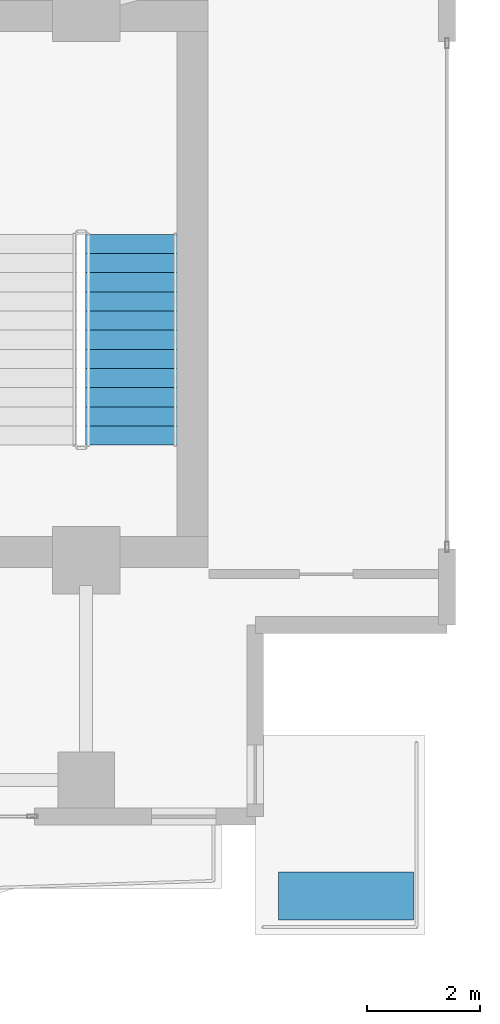
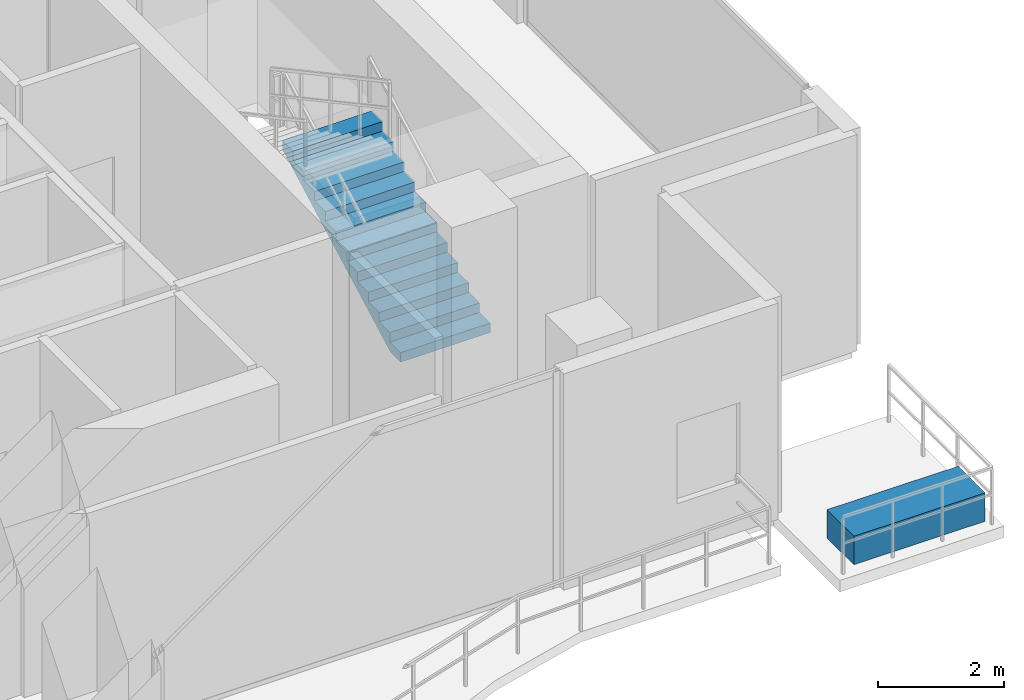
# One storey, part 20 of 23: 1 building element part, 1 stair flight, 1 element without a shape of its own.
"""IFC4 building model written with IfcOpenShell, lengths in metres."""

from ifc_helpers import new_model, si_unit, direction, frame, origin, origin_2d, place, context, subcontext, project, spatial, polyline, rectangle, outline, extrude, material, layer, layer_set, type_object, element, aggregate, save


model = new_model("IFC4")

# Units and contexts
model_context = context("Model", 3, precision=1e-05, world=origin(), true_north=direction((0.0, 1.0)))
body_context = subcontext(model_context, "Body", "Model", "MODEL_VIEW")
ifc_project = project(units=[si_unit("LENGTHUNIT", "METRE"), si_unit("AREAUNIT", "SQUARE_METRE"), si_unit("VOLUMEUNIT", "CUBIC_METRE"), si_unit("PLANEANGLEUNIT", "RADIAN"), si_unit("MASSUNIT", "GRAM", prefix="KILO")], contexts=[model_context])

# Site, building, storey
site_placement = place(None, origin())
site = spatial("IfcSite", under=ifc_project, at=site_placement, CompositionType="ELEMENT")
building_placement = place(site_placement, origin())
building = spatial("IfcBuilding", under=site, at=building_placement, Name="Zuhayl Quay Hotel", CompositionType="ELEMENT")
storey_placement = place(building_placement, frame((0.0, 0.0, 288.449951171875)))
storey = spatial("IfcBuildingStorey", under=building, at=storey_placement, Name="L73", CompositionType="ELEMENT", Elevation=288.449951171875)

# Stair, stair flight
ifc_material_1 = material(Name="Concrete C45/55", Category="concrete")
stair_type = type_object("IfcStairType", Name="ST_DOGLEG_TOWER", PredefinedType="HALF_TURN_STAIR", material=ifc_material_1)
stair_placement = place(storey_placement, origin())
stair = element("IfcStair", 1, at=stair_placement, inside=storey, type_object=stair_type, Name="L73 Smokeproof Exit Stair ST2", PredefinedType="HALF_TURN_STAIR")
ifc_layer_1 = layer(ifc_material_1, 0.159912109375, Name="Concrete C45/55", Category="concrete")
ifc_layer_set_1 = layer_set([ifc_layer_1], Name="Concrete C45/55")
stair_flight_type = type_object("IfcStairFlightType", Name="SF_CONC_164", PredefinedType="STRAIGHT", material=ifc_layer_set_1)
stair_flight_placement = place(storey_placement, frame((14.610107421875, 6.590087890625, 0.0), z_axis=(0.0, 0.0, 1.0), x_axis=(0.0, 1.0, 0.0)))
stair_flight = element("IfcStairFlight", 2, at=stair_flight_placement, type_object=stair_flight_type, Name="ST2 flight 1", NumberOfRisers=12, NumberOfTreads=11, PredefinedType="STRAIGHT", RiserHeight=0.183333333, TreadLength=0.34, context=body_context, shape_type="SweptSolid", body=[
    extrude(outline(polyline([(0.0, 0.0), (0.0, 0.183349609375), (0.340087890625, 0.183349609375), (0.340087890625, 0.36669921875), (0.679931640625, 0.36669921875), (0.679931640625, 0.550048828125), (1.02001953125, 0.550048828125), (1.02001953125, 0.7333984375), (1.360107421875, 0.7333984375), (1.360107421875, 0.916748046875), (1.699951171875, 0.916748046875), (1.699951171875, 1.10009765625), (2.0400390625, 1.10009765625), (2.0400390625, 1.283447265625), (2.3798828125, 1.283447265625), (2.3798828125, 1.466552734375), (2.719970703125, 1.466552734375), (2.719970703125, 1.64990234375), (3.06005859375, 1.64990234375), (3.06005859375, 1.833251953125), (3.39990234375, 1.833251953125), (3.39990234375, 2.0166015625), (3.739990234375, 2.0166015625), (3.739990234375, 2.199951171875), (3.739990234375, 1.846435546875), (0.31591796875, 0.0), (0.0, 0.0)])), frame((0.0, 0.81982421875, 0.0), z_axis=(0.0, -1.0, 0.0), x_axis=(1.0, 0.0, 0.0)), (0.0, 0.0, 1.0), 1.639892578125),
])
aggregate(stair, [stair_flight])

# Building element part
ifc_material_2 = material(Name="Precast concrete C45/55", Category="concrete")
ifc_layer_2 = layer(ifc_material_2, 0.550048828125, Name="Precast concrete C45/55", Category="concrete")
ifc_layer_set_2 = layer_set([ifc_layer_2], Name="Precast concrete C45/55")
building_element_part_type = type_object("IfcBuildingElementPartType", Name="PT_PLANTER_KERB", PredefinedType="PRECASTPANEL", material=ifc_layer_set_2)
building_element_part_placement = place(storey_placement, frame((18.409912109375, -1.409912109375, 0.0), z_axis=(0.0, 0.0, 1.0), x_axis=(1.0, 0.0, 0.0)))
element("IfcBuildingElementPart", 3, at=building_element_part_placement, inside=storey, type_object=building_element_part_type, Name="L73 Spiral Sky-Terrace Planter Box SE", PredefinedType="PRECASTPANEL", context=body_context, shape_type="SweptSolid", body=[
    extrude(rectangle(XDim=2.39990234375, YDim=0.85009765625, at=origin_2d()), origin(), (0.0, 0.0, 1.0), 0.550048828125),
])

save(model, "model.ifc")
